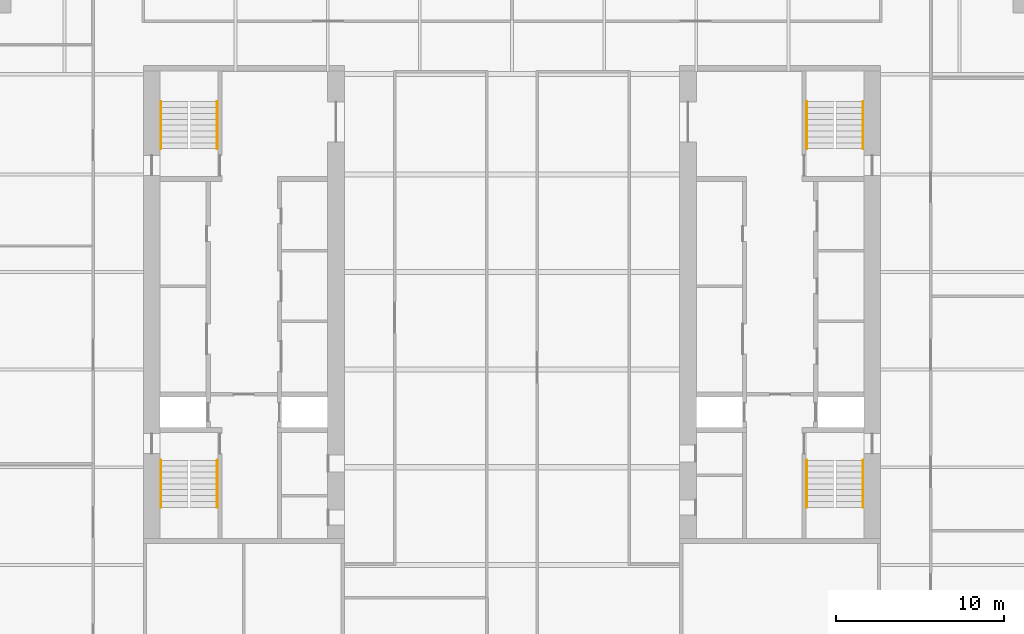
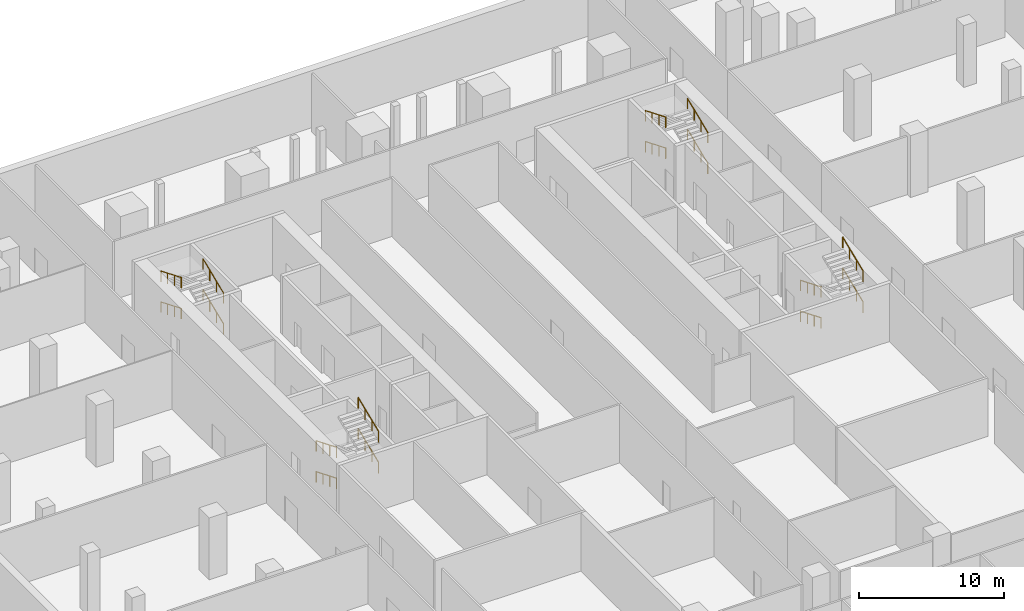
# One storey, part 15 of 15: 16 railings.
"""IFC4 building model written with IfcOpenShell, lengths in metres."""

from ifc_helpers import new_model, si_unit, direction, frame, origin, origin_2d, place, context, subcontext, project, spatial, circle, extrude, material, type_object, element, save


model = new_model("IFC4")

# Units and contexts
model_context = context("Model", 3, precision=1e-05, world=origin(), true_north=direction((0.0, 1.0)))
body_context = subcontext(model_context, "Body", "Model", "MODEL_VIEW")
ifc_project = project(units=[si_unit("LENGTHUNIT", "METRE"), si_unit("AREAUNIT", "SQUARE_METRE"), si_unit("VOLUMEUNIT", "CUBIC_METRE"), si_unit("PLANEANGLEUNIT", "RADIAN"), si_unit("MASSUNIT", "GRAM", prefix="KILO")], contexts=[model_context])

# Site, building, storey
site_placement = place(None, origin())
site = spatial("IfcSite", under=ifc_project, at=site_placement, CompositionType="ELEMENT")
building_placement = place(site_placement, origin())
building = spatial("IfcBuilding", under=site, at=building_placement, Name="Ogive Exchange Tower", CompositionType="ELEMENT")
storey_placement = place(building_placement, frame((0.0, 0.0, -5.199951171875)))
storey = spatial("IfcBuildingStorey", under=building, at=storey_placement, Name="B1", CompositionType="ELEMENT", Elevation=-5.199951171875)

# Railings
ifc_material = material(Name="Stainless steel", Category="steel")
railing_type = type_object("IfcRailingType", Name="Stair handrail 900", PredefinedType="HANDRAIL", material=ifc_material)
railing_1_placement = place(storey_placement, frame((-20.949951171875, 2.199951171875, 0.144287109375)))
element("IfcRailing", 1, at=railing_1_placement, inside=storey, type_object=railing_type, Name="B1 ST1 stair handrail 1", PredefinedType="HANDRAIL", context=body_context, shape_type="SweptSolid", body=[
    extrude(circle(Radius=0.02392578125, at=origin_2d()), frame((0.0, 0.0, 0.8759765625), z_axis=(0.0, -0.924726381013, 0.380632526538), x_axis=(1.0, 0.0, 0.0)), (0.0, 0.0, 1.0), 3.036376953125),
    extrude(circle(Radius=0.02099609375, at=origin_2d()), origin(), (0.0, 0.0, 1.0), 0.851806640625),
    extrude(circle(Radius=0.02099609375, at=origin_2d()), frame((0.0, -0.93603515625, 0.38525390625)), (0.0, 0.0, 1.0), 0.851806640625),
    extrude(circle(Radius=0.02099609375, at=origin_2d()), frame((0.0, -1.871826171875, 0.7705078125)), (0.0, 0.0, 1.0), 0.851806640625),
    extrude(circle(Radius=0.02099609375, at=origin_2d()), frame((0.0, -2.807861328125, 1.15576171875)), (0.0, 0.0, 1.0), 0.851806640625),
])
railing_2_placement = place(storey_placement, frame((-17.60009765625, -0.60791015625, 1.4443359375)))
element("IfcRailing", 2, at=railing_2_placement, inside=storey, type_object=railing_type, Name="B1 ST1 stair handrail 2", PredefinedType="HANDRAIL", context=body_context, shape_type="SweptSolid", body=[
    extrude(circle(Radius=0.02392578125, at=origin_2d()), frame((0.0, 0.0, 0.8759765625), z_axis=(0.0, 0.924754679997, 0.380563768405), x_axis=(-1.0, 0.0, 0.0)), (0.0, 0.0, 1.0), 3.036376953125),
    extrude(circle(Radius=0.02099609375, at=origin_2d()), origin(), (0.0, 0.0, 1.0), 0.851806640625),
    extrude(circle(Radius=0.02099609375, at=origin_2d()), frame((0.0, 0.93603515625, 0.38525390625)), (0.0, 0.0, 1.0), 0.851806640625),
    extrude(circle(Radius=0.02099609375, at=origin_2d()), frame((0.0, 1.871826171875, 0.770263671875)), (0.0, 0.0, 1.0), 0.851806640625),
    extrude(circle(Radius=0.02099609375, at=origin_2d()), frame((0.0, 2.807861328125, 1.155517578125)), (0.0, 0.0, 1.0), 0.851806640625),
])
railing_3_placement = place(storey_placement, frame((-20.949951171875, 2.199951171875, 2.744384765625)))
element("IfcRailing", 3, at=railing_3_placement, inside=storey, type_object=railing_type, Name="B1 ST1 stair handrail 3", PredefinedType="HANDRAIL", context=body_context, shape_type="SweptSolid", body=[
    extrude(circle(Radius=0.02392578125, at=origin_2d()), frame((0.0, 0.0, 0.8759765625), z_axis=(0.0, -0.924754679997, 0.380563768405), x_axis=(1.0, 0.0, 0.0)), (0.0, 0.0, 1.0), 3.036376953125),
    extrude(circle(Radius=0.02099609375, at=origin_2d()), origin(), (0.0, 0.0, 1.0), 0.851806640625),
    extrude(circle(Radius=0.02099609375, at=origin_2d()), frame((0.0, -0.93603515625, 0.38525390625)), (0.0, 0.0, 1.0), 0.851806640625),
    extrude(circle(Radius=0.02099609375, at=origin_2d()), frame((0.0, -1.871826171875, 0.770263671875)), (0.0, 0.0, 1.0), 0.851806640625),
    extrude(circle(Radius=0.02099609375, at=origin_2d()), frame((0.0, -2.807861328125, 1.155517578125)), (0.0, 0.0, 1.0), 0.851806640625),
])
railing_4_placement = place(storey_placement, frame((-17.60009765625, -0.60791015625, 4.04443359375)))
element("IfcRailing", 4, at=railing_4_placement, inside=storey, type_object=railing_type, Name="B1 ST1 stair handrail 4", PredefinedType="HANDRAIL", context=body_context, shape_type="SweptSolid", body=[
    extrude(circle(Radius=0.02392578125, at=origin_2d()), frame((0.0, 0.0, 0.8759765625), z_axis=(0.0, 0.924754679997, 0.380563768405), x_axis=(-1.0, 0.0, 0.0)), (0.0, 0.0, 1.0), 3.036376953125),
    extrude(circle(Radius=0.02099609375, at=origin_2d()), origin(), (0.0, 0.0, 1.0), 0.851806640625),
    extrude(circle(Radius=0.02099609375, at=origin_2d()), frame((0.0, 0.93603515625, 0.38525390625)), (0.0, 0.0, 1.0), 0.851806640625),
    extrude(circle(Radius=0.02099609375, at=origin_2d()), frame((0.0, 1.871826171875, 0.770263671875)), (0.0, 0.0, 1.0), 0.851806640625),
    extrude(circle(Radius=0.02099609375, at=origin_2d()), frame((0.0, 2.807861328125, 1.155517578125)), (0.0, 0.0, 1.0), 0.851806640625),
])
railing_5_placement = place(storey_placement, frame((-17.60009765625, 20.800048828125, 0.144287109375)))
element("IfcRailing", 5, at=railing_5_placement, inside=storey, type_object=railing_type, Name="B1 ST2 stair handrail 1", PredefinedType="HANDRAIL", context=body_context, shape_type="SweptSolid", body=[
    extrude(circle(Radius=0.02392578125, at=origin_2d()), frame((0.0, 0.0, 0.8759765625), z_axis=(0.0, 0.924726381013, 0.380632526538), x_axis=(-1.0, 0.0, 0.0)), (0.0, 0.0, 1.0), 3.036376953125),
    extrude(circle(Radius=0.02099609375, at=origin_2d()), origin(), (0.0, 0.0, 1.0), 0.851806640625),
    extrude(circle(Radius=0.02099609375, at=origin_2d()), frame((0.0, 0.93603515625, 0.38525390625)), (0.0, 0.0, 1.0), 0.851806640625),
    extrude(circle(Radius=0.02099609375, at=origin_2d()), frame((0.0, 1.871826171875, 0.7705078125)), (0.0, 0.0, 1.0), 0.851806640625),
    extrude(circle(Radius=0.02099609375, at=origin_2d()), frame((0.0, 2.807861328125, 1.15576171875)), (0.0, 0.0, 1.0), 0.851806640625),
])
railing_6_placement = place(storey_placement, frame((-20.949951171875, 23.60791015625, 1.4443359375)))
element("IfcRailing", 6, at=railing_6_placement, inside=storey, type_object=railing_type, Name="B1 ST2 stair handrail 2", PredefinedType="HANDRAIL", context=body_context, shape_type="SweptSolid", body=[
    extrude(circle(Radius=0.02392578125, at=origin_2d()), frame((0.0, 0.0, 0.8759765625), z_axis=(0.0, -0.924754679997, 0.380563768405), x_axis=(1.0, 0.0, 0.0)), (0.0, 0.0, 1.0), 3.036376953125),
    extrude(circle(Radius=0.02099609375, at=origin_2d()), origin(), (0.0, 0.0, 1.0), 0.851806640625),
    extrude(circle(Radius=0.02099609375, at=origin_2d()), frame((0.0, -0.93603515625, 0.38525390625)), (0.0, 0.0, 1.0), 0.851806640625),
    extrude(circle(Radius=0.02099609375, at=origin_2d()), frame((0.0, -1.871826171875, 0.770263671875)), (0.0, 0.0, 1.0), 0.851806640625),
    extrude(circle(Radius=0.02099609375, at=origin_2d()), frame((0.0, -2.807861328125, 1.155517578125)), (0.0, 0.0, 1.0), 0.851806640625),
])
railing_7_placement = place(storey_placement, frame((-17.60009765625, 20.800048828125, 2.744384765625)))
element("IfcRailing", 7, at=railing_7_placement, inside=storey, type_object=railing_type, Name="B1 ST2 stair handrail 3", PredefinedType="HANDRAIL", context=body_context, shape_type="SweptSolid", body=[
    extrude(circle(Radius=0.02392578125, at=origin_2d()), frame((0.0, 0.0, 0.8759765625), z_axis=(0.0, 0.924754679997, 0.380563768405), x_axis=(-1.0, 0.0, 0.0)), (0.0, 0.0, 1.0), 3.036376953125),
    extrude(circle(Radius=0.02099609375, at=origin_2d()), origin(), (0.0, 0.0, 1.0), 0.851806640625),
    extrude(circle(Radius=0.02099609375, at=origin_2d()), frame((0.0, 0.93603515625, 0.38525390625)), (0.0, 0.0, 1.0), 0.851806640625),
    extrude(circle(Radius=0.02099609375, at=origin_2d()), frame((0.0, 1.871826171875, 0.770263671875)), (0.0, 0.0, 1.0), 0.851806640625),
    extrude(circle(Radius=0.02099609375, at=origin_2d()), frame((0.0, 2.807861328125, 1.155517578125)), (0.0, 0.0, 1.0), 0.851806640625),
])
railing_8_placement = place(storey_placement, frame((-20.949951171875, 23.60791015625, 4.04443359375)))
element("IfcRailing", 8, at=railing_8_placement, inside=storey, type_object=railing_type, Name="B1 ST2 stair handrail 4", PredefinedType="HANDRAIL", context=body_context, shape_type="SweptSolid", body=[
    extrude(circle(Radius=0.02392578125, at=origin_2d()), frame((0.0, 0.0, 0.8759765625), z_axis=(0.0, -0.924754679997, 0.380563768405), x_axis=(1.0, 0.0, 0.0)), (0.0, 0.0, 1.0), 3.036376953125),
    extrude(circle(Radius=0.02099609375, at=origin_2d()), origin(), (0.0, 0.0, 1.0), 0.851806640625),
    extrude(circle(Radius=0.02099609375, at=origin_2d()), frame((0.0, -0.93603515625, 0.38525390625)), (0.0, 0.0, 1.0), 0.851806640625),
    extrude(circle(Radius=0.02099609375, at=origin_2d()), frame((0.0, -1.871826171875, 0.770263671875)), (0.0, 0.0, 1.0), 0.851806640625),
    extrude(circle(Radius=0.02099609375, at=origin_2d()), frame((0.0, -2.807861328125, 1.155517578125)), (0.0, 0.0, 1.0), 0.851806640625),
])
railing_9_placement = place(storey_placement, frame((17.60009765625, 2.199951171875, 0.144287109375)))
element("IfcRailing", 9, at=railing_9_placement, inside=storey, type_object=railing_type, Name="B1 ST3 stair handrail 1", PredefinedType="HANDRAIL", context=body_context, shape_type="SweptSolid", body=[
    extrude(circle(Radius=0.02392578125, at=origin_2d()), frame((0.0, 0.0, 0.8759765625), z_axis=(0.0, -0.924726381013, 0.380632526538), x_axis=(1.0, 0.0, 0.0)), (0.0, 0.0, 1.0), 3.036376953125),
    extrude(circle(Radius=0.02099609375, at=origin_2d()), origin(), (0.0, 0.0, 1.0), 0.851806640625),
    extrude(circle(Radius=0.02099609375, at=origin_2d()), frame((0.0, -0.93603515625, 0.38525390625)), (0.0, 0.0, 1.0), 0.851806640625),
    extrude(circle(Radius=0.02099609375, at=origin_2d()), frame((0.0, -1.871826171875, 0.7705078125)), (0.0, 0.0, 1.0), 0.851806640625),
    extrude(circle(Radius=0.02099609375, at=origin_2d()), frame((0.0, -2.807861328125, 1.15576171875)), (0.0, 0.0, 1.0), 0.851806640625),
])
railing_10_placement = place(storey_placement, frame((20.949951171875, -0.60791015625, 1.4443359375)))
element("IfcRailing", 10, at=railing_10_placement, inside=storey, type_object=railing_type, Name="B1 ST3 stair handrail 2", PredefinedType="HANDRAIL", context=body_context, shape_type="SweptSolid", body=[
    extrude(circle(Radius=0.02392578125, at=origin_2d()), frame((0.0, 0.0, 0.8759765625), z_axis=(0.0, 0.924754679997, 0.380563768405), x_axis=(-1.0, 0.0, 0.0)), (0.0, 0.0, 1.0), 3.036376953125),
    extrude(circle(Radius=0.02099609375, at=origin_2d()), origin(), (0.0, 0.0, 1.0), 0.851806640625),
    extrude(circle(Radius=0.02099609375, at=origin_2d()), frame((0.0, 0.93603515625, 0.38525390625)), (0.0, 0.0, 1.0), 0.851806640625),
    extrude(circle(Radius=0.02099609375, at=origin_2d()), frame((0.0, 1.871826171875, 0.770263671875)), (0.0, 0.0, 1.0), 0.851806640625),
    extrude(circle(Radius=0.02099609375, at=origin_2d()), frame((0.0, 2.807861328125, 1.155517578125)), (0.0, 0.0, 1.0), 0.851806640625),
])
railing_11_placement = place(storey_placement, frame((17.60009765625, 2.199951171875, 2.744384765625)))
element("IfcRailing", 11, at=railing_11_placement, inside=storey, type_object=railing_type, Name="B1 ST3 stair handrail 3", PredefinedType="HANDRAIL", context=body_context, shape_type="SweptSolid", body=[
    extrude(circle(Radius=0.02392578125, at=origin_2d()), frame((0.0, 0.0, 0.8759765625), z_axis=(0.0, -0.924754679997, 0.380563768405), x_axis=(1.0, 0.0, 0.0)), (0.0, 0.0, 1.0), 3.036376953125),
    extrude(circle(Radius=0.02099609375, at=origin_2d()), origin(), (0.0, 0.0, 1.0), 0.851806640625),
    extrude(circle(Radius=0.02099609375, at=origin_2d()), frame((0.0, -0.93603515625, 0.38525390625)), (0.0, 0.0, 1.0), 0.851806640625),
    extrude(circle(Radius=0.02099609375, at=origin_2d()), frame((0.0, -1.871826171875, 0.770263671875)), (0.0, 0.0, 1.0), 0.851806640625),
    extrude(circle(Radius=0.02099609375, at=origin_2d()), frame((0.0, -2.807861328125, 1.155517578125)), (0.0, 0.0, 1.0), 0.851806640625),
])
railing_12_placement = place(storey_placement, frame((20.949951171875, -0.60791015625, 4.04443359375)))
element("IfcRailing", 12, at=railing_12_placement, inside=storey, type_object=railing_type, Name="B1 ST3 stair handrail 4", PredefinedType="HANDRAIL", context=body_context, shape_type="SweptSolid", body=[
    extrude(circle(Radius=0.02392578125, at=origin_2d()), frame((0.0, 0.0, 0.8759765625), z_axis=(0.0, 0.924754679997, 0.380563768405), x_axis=(-1.0, 0.0, 0.0)), (0.0, 0.0, 1.0), 3.036376953125),
    extrude(circle(Radius=0.02099609375, at=origin_2d()), origin(), (0.0, 0.0, 1.0), 0.851806640625),
    extrude(circle(Radius=0.02099609375, at=origin_2d()), frame((0.0, 0.93603515625, 0.38525390625)), (0.0, 0.0, 1.0), 0.851806640625),
    extrude(circle(Radius=0.02099609375, at=origin_2d()), frame((0.0, 1.871826171875, 0.770263671875)), (0.0, 0.0, 1.0), 0.851806640625),
    extrude(circle(Radius=0.02099609375, at=origin_2d()), frame((0.0, 2.807861328125, 1.155517578125)), (0.0, 0.0, 1.0), 0.851806640625),
])
railing_13_placement = place(storey_placement, frame((20.949951171875, 20.800048828125, 0.144287109375)))
element("IfcRailing", 13, at=railing_13_placement, inside=storey, type_object=railing_type, Name="B1 ST4 stair handrail 1", PredefinedType="HANDRAIL", context=body_context, shape_type="SweptSolid", body=[
    extrude(circle(Radius=0.02392578125, at=origin_2d()), frame((0.0, 0.0, 0.8759765625), z_axis=(0.0, 0.924726381013, 0.380632526538), x_axis=(-1.0, 0.0, 0.0)), (0.0, 0.0, 1.0), 3.036376953125),
    extrude(circle(Radius=0.02099609375, at=origin_2d()), origin(), (0.0, 0.0, 1.0), 0.851806640625),
    extrude(circle(Radius=0.02099609375, at=origin_2d()), frame((0.0, 0.93603515625, 0.38525390625)), (0.0, 0.0, 1.0), 0.851806640625),
    extrude(circle(Radius=0.02099609375, at=origin_2d()), frame((0.0, 1.871826171875, 0.7705078125)), (0.0, 0.0, 1.0), 0.851806640625),
    extrude(circle(Radius=0.02099609375, at=origin_2d()), frame((0.0, 2.807861328125, 1.15576171875)), (0.0, 0.0, 1.0), 0.851806640625),
])
railing_14_placement = place(storey_placement, frame((17.60009765625, 23.60791015625, 1.4443359375)))
element("IfcRailing", 14, at=railing_14_placement, inside=storey, type_object=railing_type, Name="B1 ST4 stair handrail 2", PredefinedType="HANDRAIL", context=body_context, shape_type="SweptSolid", body=[
    extrude(circle(Radius=0.02392578125, at=origin_2d()), frame((0.0, 0.0, 0.8759765625), z_axis=(0.0, -0.924754679997, 0.380563768405), x_axis=(1.0, 0.0, 0.0)), (0.0, 0.0, 1.0), 3.036376953125),
    extrude(circle(Radius=0.02099609375, at=origin_2d()), origin(), (0.0, 0.0, 1.0), 0.851806640625),
    extrude(circle(Radius=0.02099609375, at=origin_2d()), frame((0.0, -0.93603515625, 0.38525390625)), (0.0, 0.0, 1.0), 0.851806640625),
    extrude(circle(Radius=0.02099609375, at=origin_2d()), frame((0.0, -1.871826171875, 0.770263671875)), (0.0, 0.0, 1.0), 0.851806640625),
    extrude(circle(Radius=0.02099609375, at=origin_2d()), frame((0.0, -2.807861328125, 1.155517578125)), (0.0, 0.0, 1.0), 0.851806640625),
])
railing_15_placement = place(storey_placement, frame((20.949951171875, 20.800048828125, 2.744384765625)))
element("IfcRailing", 15, at=railing_15_placement, inside=storey, type_object=railing_type, Name="B1 ST4 stair handrail 3", PredefinedType="HANDRAIL", context=body_context, shape_type="SweptSolid", body=[
    extrude(circle(Radius=0.02392578125, at=origin_2d()), frame((0.0, 0.0, 0.8759765625), z_axis=(0.0, 0.924754679997, 0.380563768405), x_axis=(-1.0, 0.0, 0.0)), (0.0, 0.0, 1.0), 3.036376953125),
    extrude(circle(Radius=0.02099609375, at=origin_2d()), origin(), (0.0, 0.0, 1.0), 0.851806640625),
    extrude(circle(Radius=0.02099609375, at=origin_2d()), frame((0.0, 0.93603515625, 0.38525390625)), (0.0, 0.0, 1.0), 0.851806640625),
    extrude(circle(Radius=0.02099609375, at=origin_2d()), frame((0.0, 1.871826171875, 0.770263671875)), (0.0, 0.0, 1.0), 0.851806640625),
    extrude(circle(Radius=0.02099609375, at=origin_2d()), frame((0.0, 2.807861328125, 1.155517578125)), (0.0, 0.0, 1.0), 0.851806640625),
])
railing_16_placement = place(storey_placement, frame((17.60009765625, 23.60791015625, 4.04443359375)))
element("IfcRailing", 16, at=railing_16_placement, inside=storey, type_object=railing_type, Name="B1 ST4 stair handrail 4", PredefinedType="HANDRAIL", context=body_context, shape_type="SweptSolid", body=[
    extrude(circle(Radius=0.02392578125, at=origin_2d()), frame((0.0, 0.0, 0.8759765625), z_axis=(0.0, -0.924754679997, 0.380563768405), x_axis=(1.0, 0.0, 0.0)), (0.0, 0.0, 1.0), 3.036376953125),
    extrude(circle(Radius=0.02099609375, at=origin_2d()), origin(), (0.0, 0.0, 1.0), 0.851806640625),
    extrude(circle(Radius=0.02099609375, at=origin_2d()), frame((0.0, -0.93603515625, 0.38525390625)), (0.0, 0.0, 1.0), 0.851806640625),
    extrude(circle(Radius=0.02099609375, at=origin_2d()), frame((0.0, -1.871826171875, 0.770263671875)), (0.0, 0.0, 1.0), 0.851806640625),
    extrude(circle(Radius=0.02099609375, at=origin_2d()), frame((0.0, -2.807861328125, 1.155517578125)), (0.0, 0.0, 1.0), 0.851806640625),
])

save(model, "model.ifc")
